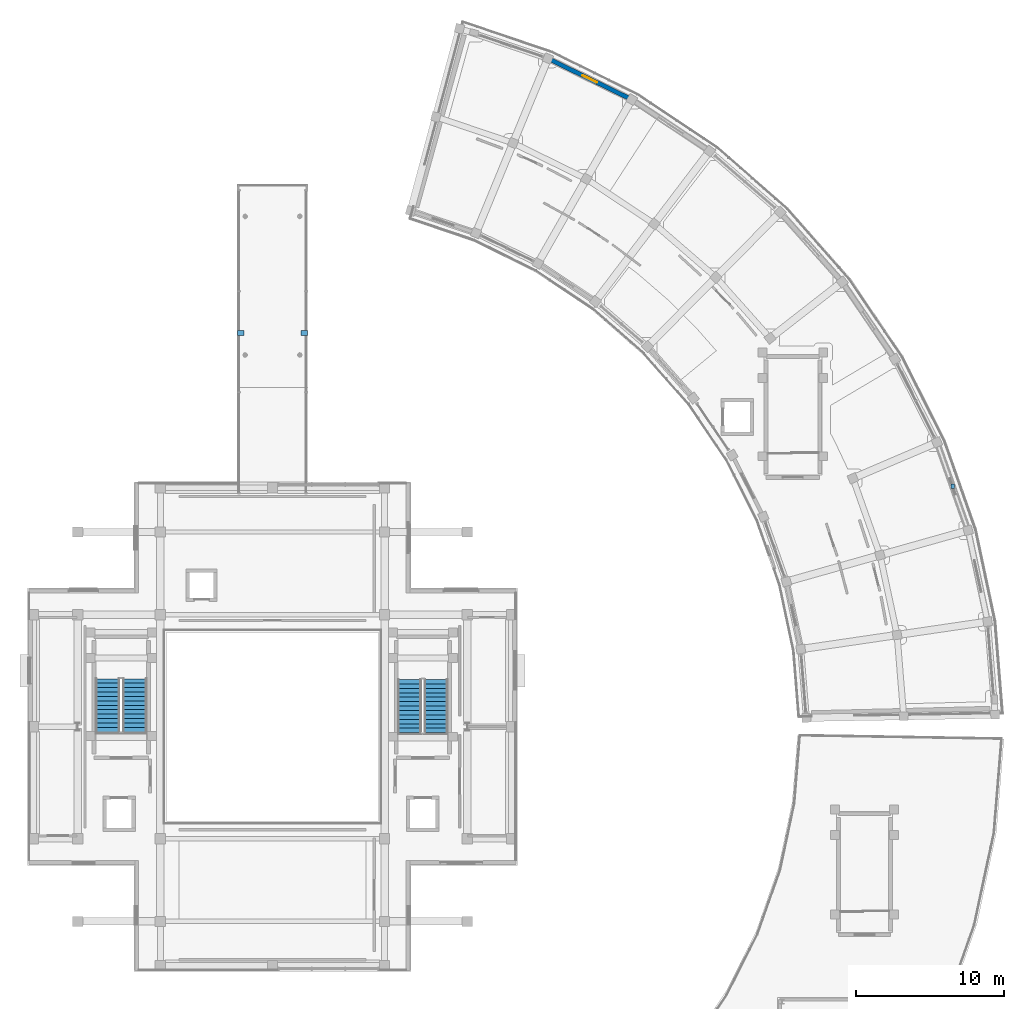
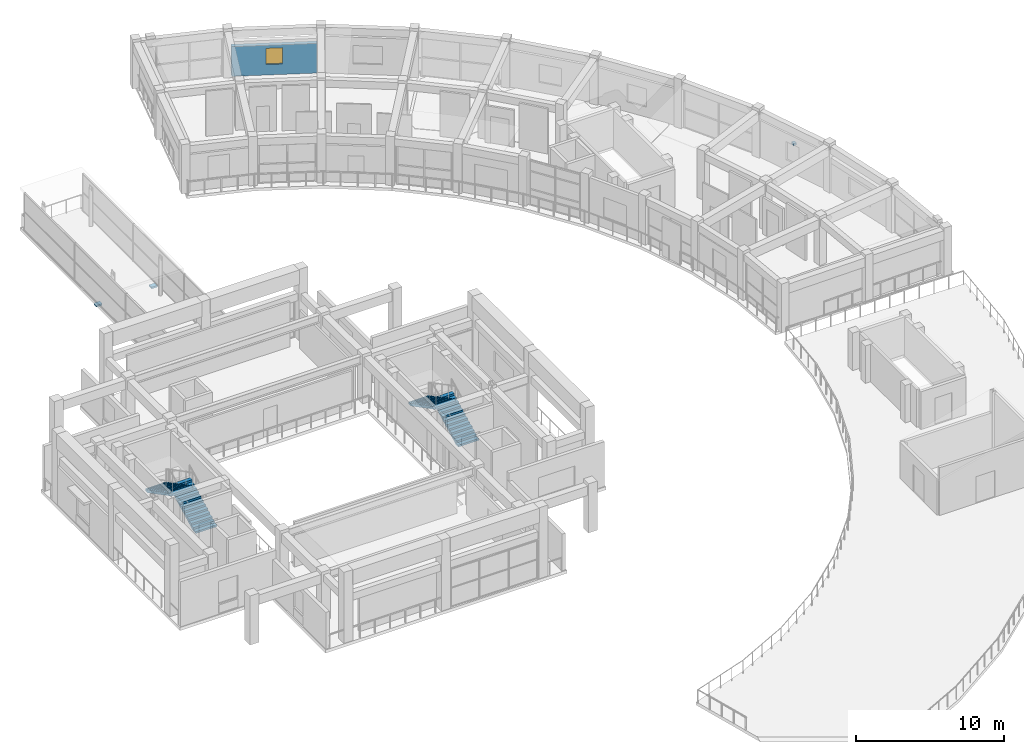
# One storey, part 22 of 29: 4 stair flights, 3 discrete accessories, 1 wall, 1 window, 1 opening, 2 elements without a shape of their own.
"""IFC4 building model written with IfcOpenShell, lengths in metres."""

from ifc_helpers import new_model, si_unit, direction, frame, frame_2d, origin, origin_2d, place, context, subcontext, project, spatial, polyline, rectangle, outline, extrude, material, layer, layer_set, type_object, element, fill, aggregate, save


model = new_model("IFC4")

# Units and contexts
model_context = context("Model", 3, precision=1e-05, world=origin(), true_north=direction((0.0, 1.0)))
body_context = subcontext(model_context, "Body", "Model", "MODEL_VIEW")
ifc_project = project(units=[si_unit("LENGTHUNIT", "METRE"), si_unit("AREAUNIT", "SQUARE_METRE"), si_unit("VOLUMEUNIT", "CUBIC_METRE"), si_unit("PLANEANGLEUNIT", "RADIAN"), si_unit("MASSUNIT", "GRAM", prefix="KILO")], contexts=[model_context])

# Site, building, storey
site_placement = place(None, origin())
site = spatial("IfcSite", under=ifc_project, at=site_placement, CompositionType="ELEMENT")
building_placement = place(site_placement, origin())
building = spatial("IfcBuilding", under=site, at=building_placement, Name="Saryqyr Civic Hall", CompositionType="ELEMENT")
storey_placement = place(building_placement, frame((0.0, 0.0, 25.35009765625)))
storey = spatial("IfcBuildingStorey", under=building, at=storey_placement, Name="L06", CompositionType="ELEMENT", Elevation=25.35009765625)

# Wall, opening, window
ifc_material_1 = material(Name="Precast concrete C40/50", Category="concrete")
ifc_layer = layer(ifc_material_1, 0.2900390625, Name="Precast concrete C40/50")
ifc_layer_set = layer_set([ifc_layer], Name="Precast concrete C40/50")
wall_type = type_object("IfcWallType", Name="ENV-WAL-EXT-290", PredefinedType="STANDARD", material=ifc_layer_set)
wall_placement = place(storey_placement, frame((75.911376953125, 129.185791015625, 0.0), z_axis=(0.0, 0.0, 1.0), x_axis=(0.897990135392, -0.440015586927, 0.0)))
wall = element("IfcWall", 1, at=wall_placement, inside=storey, type_object=wall_type, Name="Exterior wall V6-EWO-L06-08", PredefinedType="STANDARD", context=body_context, shape_type="SweptSolid", body=[
    extrude(rectangle(XDim=5.8046875, YDim=0.2900390625, at=frame_2d((2.90234375, 0.0))), origin(), (0.0, 0.0, 1.0), 2.449951171875),
])
opening_placement = place(wall_placement, frame((2.35205078125, 0.0, 0.85009765625)))
opening = element("IfcOpeningElement", 2, at=opening_placement, cuts=wall, Name="Opening W-01", PredefinedType="OPENING", context=body_context, shape_type="SweptSolid", body=[
    extrude(rectangle(XDim=1.10009765625, YDim=1.35009765625, at=frame_2d((0.550048828125, 0.675048828125))), frame((0.0, 0.155029296875, 0.0), z_axis=(0.0, -1.0, 0.0), x_axis=(1.0, 0.0, 0.0)), (0.0, 0.0, 1.0), 0.31005859375),
])
ifc_material_2 = material(Name="Anodised aluminium and triple low-E glass", Category="aluminium")
window_type = type_object("IfcWindowType", Name="ENV-WIN-W01", PartitioningType="SINGLE_PANEL", PredefinedType="WINDOW", material=ifc_material_2)
window_placement = place(opening_placement, origin())
window = element("IfcWindow", 3, at=window_placement, inside=storey, type_object=window_type, Name="Exterior ribbon window V6-L06-08", OverallHeight=1.35009765625, OverallWidth=1.10009765625, PartitioningType="SINGLE_PANEL", PredefinedType="WINDOW", context=body_context, shape_type="SweptSolid", body=[
    extrude(rectangle(XDim=1.10009765625, YDim=1.35009765625, at=frame_2d((0.550048828125, 0.675048828125))), frame((0.0, 0.030029296875, 0.0), z_axis=(0.0, -1.0, 0.0), x_axis=(1.0, 0.0, 0.0)), (0.0, 0.0, 1.0), 0.06005859375),
])
fill(opening, window)

# Stair, stair flights
ifc_material_3 = material(Name="Concrete C35/45", Category="concrete")
stair_type_1 = type_object("IfcStairType", Name="INT-STR-ST-1", PredefinedType="HALF_TURN_STAIR", material=ifc_material_3)
stair_1_placement = place(storey_placement, origin())
stair_1 = element("IfcStair", 4, at=stair_1_placement, inside=storey, type_object=stair_type_1, Name="L06 Protected Exit Stair ST-1", PredefinedType="HALF_TURN_STAIR")
stair_flight_type_1 = type_object("IfcStairFlightType", Name="INT-SFL-ST-1", PredefinedType="STRAIGHT", material=ifc_material_3)
stair_flight_1_placement = place(storey_placement, frame((47.675048828125, 83.64990234375, 0.0), z_axis=(0.0, 0.0, 1.0), x_axis=(0.0, 1.0, 0.0)))
stair_flight_1 = element("IfcStairFlight", 5, at=stair_flight_1_placement, type_object=stair_flight_type_1, Name="ST-1 flight 1", NumberOfRisers=13, NumberOfTreads=12, PredefinedType="STRAIGHT", RiserHeight=0.155769231, TreadLength=0.3, context=body_context, shape_type="SweptSolid", body=[
    extrude(outline(polyline([(0.0, 0.0), (0.0, 0.15576171875), (0.300048828125, 0.15576171875), (0.300048828125, 0.3115234375), (0.60009765625, 0.3115234375), (0.60009765625, 0.46728515625), (0.89990234375, 0.46728515625), (0.89990234375, 0.623046875), (1.199951171875, 0.623046875), (1.199951171875, 0.77880859375), (1.5, 0.77880859375), (1.5, 0.9345703125), (1.800048828125, 0.9345703125), (1.800048828125, 1.09033203125), (2.10009765625, 1.09033203125), (2.10009765625, 1.24609375), (2.39990234375, 1.24609375), (2.39990234375, 1.40185546875), (2.699951171875, 1.40185546875), (2.699951171875, 1.5576171875), (3.0, 1.5576171875), (3.0, 1.71337890625), (3.300048828125, 1.71337890625), (3.300048828125, 1.869140625), (3.60009765625, 1.869140625), (3.60009765625, 2.02490234375), (3.60009765625, 1.700439453125), (0.3251953125, 0.0), (0.0, 0.0)])), frame((0.0, 0.824951171875, 0.0), z_axis=(0.0, -1.0, 0.0), x_axis=(1.0, 0.0, 0.0)), (0.0, 0.0, 1.0), 1.64990234375),
])
stair_flight_2_placement = place(storey_placement, frame((45.824951171875, 87.25, 2.02490234375), z_axis=(0.0, 0.0, 1.0), x_axis=(0.0, -1.0, 0.0)))
stair_flight_2 = element("IfcStairFlight", 6, at=stair_flight_2_placement, type_object=stair_flight_type_1, Name="ST-1 flight 2", NumberOfRisers=13, NumberOfTreads=12, PredefinedType="STRAIGHT", RiserHeight=0.155769231, TreadLength=0.3, context=body_context, shape_type="SweptSolid", body=[
    extrude(outline(polyline([(0.0, 0.0), (0.0, 0.15576171875), (0.300048828125, 0.15576171875), (0.300048828125, 0.3115234375), (0.60009765625, 0.3115234375), (0.60009765625, 0.46728515625), (0.89990234375, 0.46728515625), (0.89990234375, 0.623046875), (1.199951171875, 0.623046875), (1.199951171875, 0.77880859375), (1.5, 0.77880859375), (1.5, 0.9345703125), (1.800048828125, 0.9345703125), (1.800048828125, 1.09033203125), (2.10009765625, 1.09033203125), (2.10009765625, 1.24609375), (2.39990234375, 1.24609375), (2.39990234375, 1.40185546875), (2.699951171875, 1.40185546875), (2.699951171875, 1.5576171875), (3.0, 1.5576171875), (3.0, 1.71337890625), (3.300048828125, 1.71337890625), (3.300048828125, 1.869140625), (3.60009765625, 1.869140625), (3.60009765625, 2.02490234375), (3.60009765625, 1.700439453125), (0.3251953125, 0.0), (0.0, 0.0)])), frame((0.0, 0.824951171875, 0.0), z_axis=(0.0, -1.0, 0.0), x_axis=(1.0, 0.0, 0.0)), (0.0, 0.0, 1.0), 1.64990234375),
])
aggregate(stair_1, [stair_flight_1, stair_flight_2])

stair_type_2 = type_object("IfcStairType", Name="INT-STR-ST-2", PredefinedType="HALF_TURN_STAIR", material=ifc_material_3)
stair_2_placement = place(storey_placement, origin())
stair_2 = element("IfcStair", 7, at=stair_2_placement, inside=storey, type_object=stair_type_2, Name="L06 Protected Exit Stair ST-2", PredefinedType="HALF_TURN_STAIR")
stair_flight_type_2 = type_object("IfcStairFlightType", Name="INT-SFL-ST-2", PredefinedType="STRAIGHT", material=ifc_material_3)
stair_flight_3_placement = place(storey_placement, frame((68.10009765625, 83.60009765625, 0.0), z_axis=(0.0, 0.0, 1.0), x_axis=(0.0, 1.0, 0.0)))
stair_flight_3 = element("IfcStairFlight", 8, at=stair_flight_3_placement, type_object=stair_flight_type_2, Name="ST-2 flight 1", NumberOfRisers=13, NumberOfTreads=12, PredefinedType="STRAIGHT", RiserHeight=0.155769231, TreadLength=0.3, context=body_context, shape_type="SweptSolid", body=[
    extrude(outline(polyline([(0.0, 0.0), (0.0, 0.15576171875), (0.300048828125, 0.15576171875), (0.300048828125, 0.3115234375), (0.60009765625, 0.3115234375), (0.60009765625, 0.46728515625), (0.89990234375, 0.46728515625), (0.89990234375, 0.623046875), (1.199951171875, 0.623046875), (1.199951171875, 0.77880859375), (1.5, 0.77880859375), (1.5, 0.9345703125), (1.800048828125, 0.9345703125), (1.800048828125, 1.09033203125), (2.10009765625, 1.09033203125), (2.10009765625, 1.24609375), (2.39990234375, 1.24609375), (2.39990234375, 1.40185546875), (2.699951171875, 1.40185546875), (2.699951171875, 1.5576171875), (3.0, 1.5576171875), (3.0, 1.71337890625), (3.300048828125, 1.71337890625), (3.300048828125, 1.869140625), (3.60009765625, 1.869140625), (3.60009765625, 2.02490234375), (3.60009765625, 1.700439453125), (0.3251953125, 0.0), (0.0, 0.0)])), frame((0.0, 0.800048828125, 0.0), z_axis=(0.0, -1.0, 0.0), x_axis=(1.0, 0.0, 0.0)), (0.0, 0.0, 1.0), 1.60009765625),
])
stair_flight_4_placement = place(storey_placement, frame((66.300048828125, 87.199951171875, 2.02490234375), z_axis=(0.0, 0.0, 1.0), x_axis=(0.0, -1.0, 0.0)))
stair_flight_4 = element("IfcStairFlight", 9, at=stair_flight_4_placement, type_object=stair_flight_type_2, Name="ST-2 flight 2", NumberOfRisers=13, NumberOfTreads=12, PredefinedType="STRAIGHT", RiserHeight=0.155769231, TreadLength=0.3, context=body_context, shape_type="SweptSolid", body=[
    extrude(outline(polyline([(0.0, 0.0), (0.0, 0.15576171875), (0.300048828125, 0.15576171875), (0.300048828125, 0.3115234375), (0.60009765625, 0.3115234375), (0.60009765625, 0.46728515625), (0.89990234375, 0.46728515625), (0.89990234375, 0.623046875), (1.199951171875, 0.623046875), (1.199951171875, 0.77880859375), (1.5, 0.77880859375), (1.5, 0.9345703125), (1.800048828125, 0.9345703125), (1.800048828125, 1.09033203125), (2.10009765625, 1.09033203125), (2.10009765625, 1.24609375), (2.39990234375, 1.24609375), (2.39990234375, 1.40185546875), (2.699951171875, 1.40185546875), (2.699951171875, 1.5576171875), (3.0, 1.5576171875), (3.0, 1.71337890625), (3.300048828125, 1.71337890625), (3.300048828125, 1.869140625), (3.60009765625, 1.869140625), (3.60009765625, 2.02490234375), (3.60009765625, 1.700439453125), (0.3251953125, 0.0), (0.0, 0.0)])), frame((0.0, 0.800048828125, 0.0), z_axis=(0.0, -1.0, 0.0), x_axis=(1.0, 0.0, 0.0)), (0.0, 0.0, 1.0), 1.60009765625),
])
aggregate(stair_2, [stair_flight_3, stair_flight_4])

# Discrete accessories
ifc_material_4 = material(Name="Painted galvanized steel", Category="steel")
discrete_accessory_type_1 = type_object("IfcDiscreteAccessoryType", Name="ENV-BRK-FIN", PredefinedType="BRACKET", material=ifc_material_4)
discrete_accessory_placement = place(storey_placement, frame((103.103759765625, 100.292236328125, 2.31005859375), z_axis=(0.0, 0.0, 1.0), x_axis=(1.0, 0.0, 0.0)))
element("IfcDiscreteAccessory", 10, at=discrete_accessory_placement, inside=storey, type_object=discrete_accessory_type_1, Name="Solar fin steel bracket V6-L06-02", PredefinedType="BRACKET", context=body_context, shape_type="SweptSolid", body=[
    extrude(rectangle(XDim=0.239990234375, YDim=0.300048828125, at=origin_2d()), origin(), (0.0, 0.0, 1.0), 0.159912109375),
])
ifc_material_5 = material(Name="Steel S355", Category="steel")
discrete_accessory_type_2 = type_object("IfcDiscreteAccessoryType", Name="STR-ACC-PTFE-BRG", PredefinedType="BRACKET", material=ifc_material_5)
for number, where, z_axis, x_axis, name in (
    (11, (54.85009765625, 110.699951171875, -0.35986328125), (0.0, 0.0, 1.0), (1.0, 0.0, 0.0), "Unguided PTFE sliding bridge bearing BR-CN L06 1"),
    (12, (59.14990234375, 110.699951171875, -0.35986328125), (0.0, 0.0, 1.0), (1.0, 0.0, 0.0), "Unguided PTFE sliding bridge bearing BR-CN L06 2"),
):
    element("IfcDiscreteAccessory", number, at=place(storey_placement, frame(where, z_axis=z_axis, x_axis=x_axis)), inside=storey, type_object=discrete_accessory_type_2, Name=name, PredefinedType="BRACKET", context=body_context, shape_type="SweptSolid", body=[
        extrude(rectangle(XDim=0.449951171875, YDim=0.35009765625, at=origin_2d()), origin(), (0.0, 0.0, 1.0), 0.139892578125),
    ])

save(model, "model.ifc")
